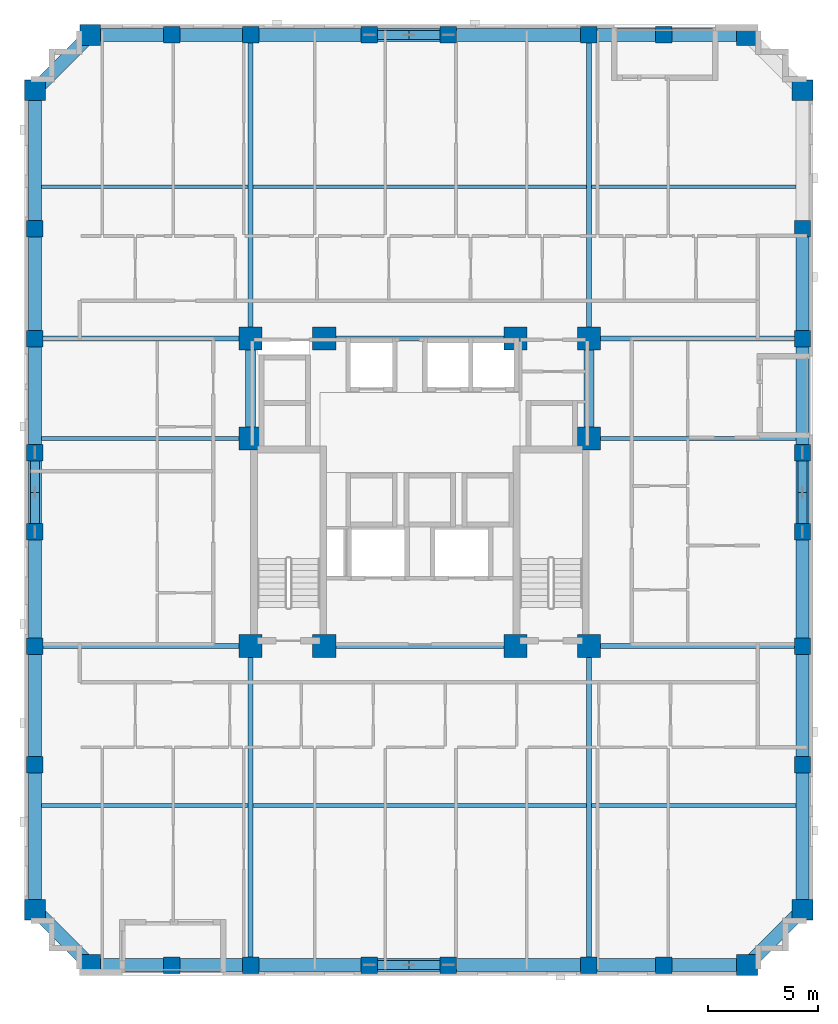
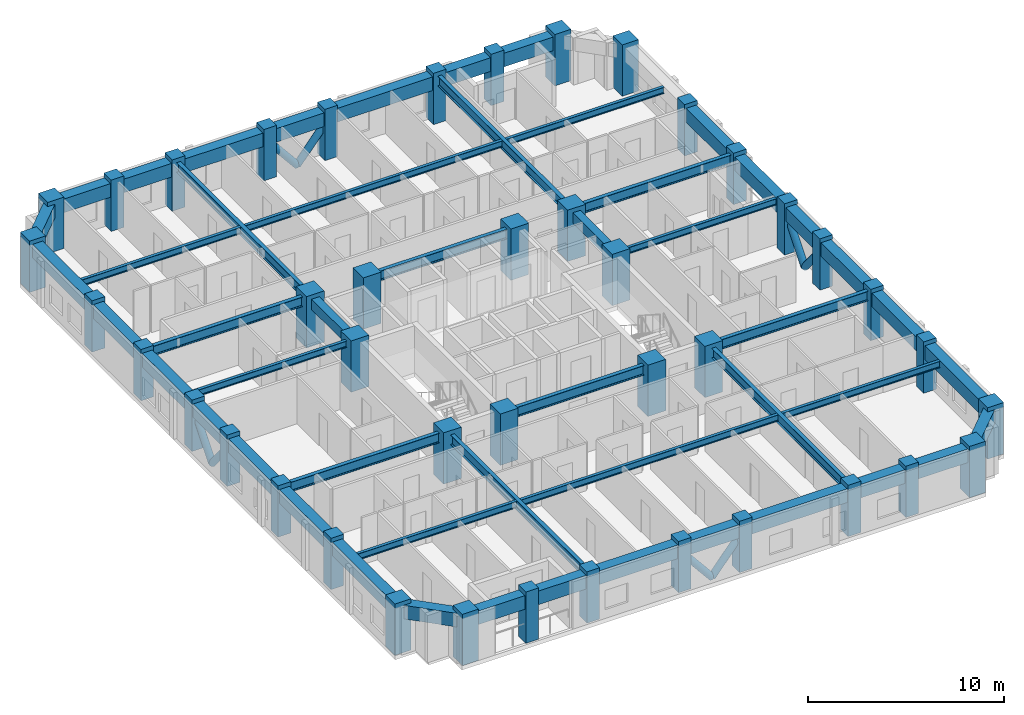
# One storey, part 1 of 13: 50 beams, 42 columns, 8 members.
"""IFC4 building model written with IfcOpenShell, lengths in metres."""

from ifc_helpers import new_model, si_unit, derived_unit, direction, frame, origin, origin_2d, place, context, subcontext, project, spatial, rectangle, hollow_circle, i_section, extrude, material, material_profile, profile_set, type_object, element, save


model = new_model("IFC4")

# Units and contexts
model_context = context("Model", 3, precision=1e-05, world=origin(), true_north=direction((0.0, 1.0)))
body_context = subcontext(model_context, "Body", "Model", "MODEL_VIEW")
ifc_project = project(units=[si_unit("LENGTHUNIT", "METRE"), si_unit("AREAUNIT", "SQUARE_METRE"), si_unit("VOLUMEUNIT", "CUBIC_METRE"), si_unit("PLANEANGLEUNIT", "RADIAN"), si_unit("MASSUNIT", "GRAM", prefix="KILO"), derived_unit("THERMALTRANSMITTANCEUNIT", [(si_unit("MASSUNIT", "GRAM", prefix="KILO"), 1), (si_unit("TIMEUNIT", "SECOND"), -3), (si_unit("THERMODYNAMICTEMPERATUREUNIT", "KELVIN"), -1)])], contexts=[model_context])

# Site, building, storey
site_placement = place(None, origin())
site = spatial("IfcSite", under=ifc_project, at=site_placement, CompositionType="ELEMENT")
building_placement = place(site_placement, origin())
building = spatial("IfcBuilding", under=site, at=building_placement, Name="Korrvale Station Residences", CompositionType="ELEMENT")
storey_placement = place(building_placement, frame((0.0, 0.0, 97.5)))
storey = spatial("IfcBuildingStorey", under=building, at=storey_placement, Name="L27", CompositionType="ELEMENT", Elevation=97.5)

# Columns
ifc_material_1 = material(Name="Concrete C60/75", Category="concrete")
ifc_material_profile_1 = material_profile(ifc_material_1, rectangle(XDim=1.050048828125, YDim=1.050048828125, at=origin_2d()), Name="RC1050x1050")
ifc_profile_set_1 = profile_set([ifc_material_profile_1], Name="Concrete C60/75")
column_type_1 = type_object("IfcColumnType", Name="COL-C-RC1050x1050-C6075", PredefinedType="COLUMN", material=ifc_profile_set_1)
for number, where, z_axis, x_axis, name in (
    (1, (17.800048828125, 15.0, 0.0), (0.0, 0.0, 1.0), (1.0, 0.0, 0.0), "L27 Core Column 01"),
    (2, (21.14990234375, 15.0, 0.0), (0.0, 0.0, 1.0), (1.0, 0.0, 0.0), "L27 Core Column 02"),
    (3, (29.85009765625, 15.0, 0.0), (0.0, 0.0, 1.0), (1.0, 0.0, 0.0), "L27 Core Column 03"),
    (4, (33.199951171875, 15.0, 0.0), (0.0, 0.0, 1.0), (1.0, 0.0, 0.0), "L27 Core Column 04"),
    (5, (17.800048828125, 29.0, 0.0), (0.0, 0.0, 1.0), (1.0, 0.0, 0.0), "L27 Core Column 05"),
    (6, (21.14990234375, 29.0, 0.0), (0.0, 0.0, 1.0), (1.0, 0.0, 0.0), "L27 Core Column 06"),
    (7, (29.85009765625, 29.0, 0.0), (0.0, 0.0, 1.0), (1.0, 0.0, 0.0), "L27 Core Column 07"),
    (8, (33.199951171875, 29.0, 0.0), (0.0, 0.0, 1.0), (1.0, 0.0, 0.0), "L27 Core Column 08"),
    (9, (17.800048828125, 24.449951171875, 0.0), (0.0, 0.0, 1.0), (1.0, 0.0, 0.0), "L27 Core Column 09"),
    (10, (33.199951171875, 24.449951171875, 0.0), (0.0, 0.0, 1.0), (1.0, 0.0, 0.0), "L27 Core Column 10"),
):
    element("IfcColumn", number, at=place(storey_placement, frame(where, z_axis=z_axis, x_axis=x_axis)), inside=storey, type_object=column_type_1, Name=name, PredefinedType="COLUMN", context=body_context, shape_type="SweptSolid", body=[
        extrude(rectangle(XDim=1.050048828125, YDim=1.050048828125, at=origin_2d()), origin(), (0.0, 0.0, 1.0), 3.199951171875),
    ])
ifc_material_profile_2 = material_profile(ifc_material_1, rectangle(XDim=0.75, YDim=0.75, at=origin_2d()), Name="RC750x750")
ifc_profile_set_2 = profile_set([ifc_material_profile_2], Name="Concrete C60/75")
column_type_2 = type_object("IfcColumnType", Name="COL-C-RC750x750-C6075", PredefinedType="COLUMN", material=ifc_profile_set_2)
for number, where, z_axis, x_axis, name in (
    (11, (14.199951171875, 0.47998046875, 0.0), (0.0, 0.0, 1.0), (1.0, 0.0, 0.0), "L27 Bundled-Tube South Column 02"),
    (12, (17.800048828125, 0.47998046875, 0.0), (0.0, 0.0, 1.0), (1.0, 0.0, 0.0), "L27 Bundled-Tube South Column 03"),
    (13, (23.199951171875, 0.47998046875, 0.0), (0.0, 0.0, 1.0), (1.0, 0.0, 0.0), "L27 Bundled-Tube South Column 04"),
    (14, (26.800048828125, 0.47998046875, 0.0), (0.0, 0.0, 1.0), (1.0, 0.0, 0.0), "L27 Bundled-Tube South Column 05"),
    (15, (33.199951171875, 0.47998046875, 0.0), (0.0, 0.0, 1.0), (1.0, 0.0, 0.0), "L27 Bundled-Tube South Column 06"),
    (16, (36.60009765625, 0.47998046875, 0.0), (0.0, 0.0, 1.0), (1.0, 0.0, 0.0), "L27 Bundled-Tube South Column 07"),
    (17, (14.199951171875, 42.820068359375, 0.0), (0.0, 0.0, 1.0), (1.0, 0.0, 0.0), "L27 Bundled-Tube North Column 10"),
    (18, (17.800048828125, 42.820068359375, 0.0), (0.0, 0.0, 1.0), (1.0, 0.0, 0.0), "L27 Bundled-Tube North Column 11"),
    (19, (23.199951171875, 42.820068359375, 0.0), (0.0, 0.0, 1.0), (1.0, 0.0, 0.0), "L27 Bundled-Tube North Column 12"),
    (20, (26.800048828125, 42.820068359375, 0.0), (0.0, 0.0, 1.0), (1.0, 0.0, 0.0), "L27 Bundled-Tube North Column 13"),
    (21, (33.199951171875, 42.820068359375, 0.0), (0.0, 0.0, 1.0), (1.0, 0.0, 0.0), "L27 Bundled-Tube North Column 14"),
    (22, (36.60009765625, 42.820068359375, 0.0), (0.0, 0.0, 1.0), (1.0, 0.0, 0.0), "L27 Bundled-Tube North Column 15"),
    (23, (7.97998046875, 9.60009765625, 0.0), (0.0, 0.0, 1.0), (1.0, 0.0, 0.0), "L27 Bundled-Tube West Column 18"),
    (24, (7.97998046875, 15.0, 0.0), (0.0, 0.0, 1.0), (1.0, 0.0, 0.0), "L27 Bundled-Tube West Column 19"),
    (25, (7.97998046875, 20.199951171875, 0.0), (0.0, 0.0, 1.0), (1.0, 0.0, 0.0), "L27 Bundled-Tube West Column 20"),
    (26, (7.97998046875, 23.800048828125, 0.0), (0.0, 0.0, 1.0), (1.0, 0.0, 0.0), "L27 Bundled-Tube West Column 21"),
    (27, (7.97998046875, 29.0, 0.0), (0.0, 0.0, 1.0), (1.0, 0.0, 0.0), "L27 Bundled-Tube West Column 22"),
    (28, (7.97998046875, 34.0, 0.0), (0.0, 0.0, 1.0), (1.0, 0.0, 0.0), "L27 Bundled-Tube West Column 23"),
    (29, (42.919921875, 9.60009765625, 0.0), (0.0, 0.0, 1.0), (1.0, 0.0, 0.0), "L27 Bundled-Tube East Column 26"),
    (30, (42.919921875, 15.0, 0.0), (0.0, 0.0, 1.0), (1.0, 0.0, 0.0), "L27 Bundled-Tube East Column 27"),
    (31, (42.919921875, 20.199951171875, 0.0), (0.0, 0.0, 1.0), (1.0, 0.0, 0.0), "L27 Bundled-Tube East Column 28"),
    (32, (42.919921875, 23.800048828125, 0.0), (0.0, 0.0, 1.0), (1.0, 0.0, 0.0), "L27 Bundled-Tube East Column 29"),
    (33, (42.919921875, 29.0, 0.0), (0.0, 0.0, 1.0), (1.0, 0.0, 0.0), "L27 Bundled-Tube East Column 30"),
    (34, (42.919921875, 34.0, 0.0), (0.0, 0.0, 1.0), (1.0, 0.0, 0.0), "L27 Bundled-Tube East Column 31"),
):
    element("IfcColumn", number, at=place(storey_placement, frame(where, z_axis=z_axis, x_axis=x_axis)), inside=storey, type_object=column_type_2, Name=name, PredefinedType="COLUMN", context=body_context, shape_type="SweptSolid", body=[
        extrude(rectangle(XDim=0.75, YDim=0.75, at=origin_2d()), origin(), (0.0, 0.0, 1.0), 3.199951171875),
    ])
ifc_material_profile_3 = material_profile(ifc_material_1, rectangle(XDim=0.949951171875, YDim=0.949951171875, at=origin_2d()), Name="RC950x950")
ifc_profile_set_3 = profile_set([ifc_material_profile_3], Name="Concrete C60/75")
column_type_3 = type_object("IfcColumnType", Name="COL-C-RC950x950-C6075", PredefinedType="COLUMN", material=ifc_profile_set_3)
for number, where, z_axis, x_axis, name in (
    (35, (10.5, 0.47998046875, 0.0), (0.0, 0.0, 1.0), (1.0, 0.0, 0.0), "L27 Bundled-Tube South Column 01"),
    (36, (40.39990234375, 0.47998046875, 0.0), (0.0, 0.0, 1.0), (1.0, 0.0, 0.0), "L27 Bundled-Tube South Column 08"),
    (37, (10.5, 42.820068359375, 0.0), (0.0, 0.0, 1.0), (1.0, 0.0, 0.0), "L27 Bundled-Tube North Column 09"),
    (38, (40.39990234375, 42.820068359375, 0.0), (0.0, 0.0, 1.0), (1.0, 0.0, 0.0), "L27 Bundled-Tube North Column 16"),
    (39, (7.97998046875, 3.0, 0.0), (0.0, 0.0, 1.0), (1.0, 0.0, 0.0), "L27 Bundled-Tube West Column 17"),
    (40, (7.97998046875, 40.300048828125, 0.0), (0.0, 0.0, 1.0), (1.0, 0.0, 0.0), "L27 Bundled-Tube West Column 24"),
    (41, (42.919921875, 3.0, 0.0), (0.0, 0.0, 1.0), (1.0, 0.0, 0.0), "L27 Bundled-Tube East Column 25"),
    (42, (42.919921875, 40.300048828125, 0.0), (0.0, 0.0, 1.0), (1.0, 0.0, 0.0), "L27 Bundled-Tube East Column 32"),
):
    element("IfcColumn", number, at=place(storey_placement, frame(where, z_axis=z_axis, x_axis=x_axis)), inside=storey, type_object=column_type_3, Name=name, PredefinedType="COLUMN", context=body_context, shape_type="SweptSolid", body=[
        extrude(rectangle(XDim=0.949951171875, YDim=0.949951171875, at=origin_2d()), origin(), (0.0, 0.0, 1.0), 3.199951171875),
    ])

# Beams
ifc_material_2 = material(Name="Steel S355", Category="steel")
ifc_material_profile_4 = material_profile(ifc_material_2, i_section(OverallWidth=0.22900390625, OverallDepth=0.612060546875, WebThickness=0.011962890625, FlangeThickness=0.01953125, FilletRadius=0.01904296875, at=origin_2d()), Name="W610x125")
ifc_profile_set_4 = profile_set([ifc_material_profile_4], Name="Steel S355")
beam_type_1 = type_object("IfcBeamType", Name="BM-BM-W610x125-S355", PredefinedType="BEAM", material=ifc_profile_set_4)
for number, where, z_axis, x_axis, name in (
    (43, (17.800048828125, 0.47998046875, 2.634033203125), (0.0, 1.0, 0.0), (-1.0, 0.0, 0.0), "L27 Bundled-Tube Web Girder 01"),
    (44, (33.199951171875, 0.47998046875, 2.634033203125), (0.0, 1.0, 0.0), (-1.0, 0.0, 0.0), "L27 Bundled-Tube Web Girder 02"),
):
    element("IfcBeam", number, at=place(storey_placement, frame(where, z_axis=z_axis, x_axis=x_axis)), inside=storey, type_object=beam_type_1, Name=name, PredefinedType="BEAM", context=body_context, shape_type="SweptSolid", body=[
        extrude(i_section(OverallWidth=0.22900390625, OverallDepth=0.612060546875, WebThickness=0.011962890625, FlangeThickness=0.01953125, FilletRadius=0.01904296875, at=origin_2d()), origin(), (0.0, 0.0, 1.0), 14.52001953125),
    ])
for number, where, z_axis, x_axis, name in (
    (45, (17.800048828125, 29.0, 2.634033203125), (0.0, 1.0, 0.0), (-1.0, 0.0, 0.0), "L27 Bundled-Tube Web Girder 03"),
    (46, (33.199951171875, 29.0, 2.634033203125), (0.0, 1.0, 0.0), (-1.0, 0.0, 0.0), "L27 Bundled-Tube Web Girder 04"),
):
    element("IfcBeam", number, at=place(storey_placement, frame(where, z_axis=z_axis, x_axis=x_axis)), inside=storey, type_object=beam_type_1, Name=name, PredefinedType="BEAM", context=body_context, shape_type="SweptSolid", body=[
        extrude(i_section(OverallWidth=0.22900390625, OverallDepth=0.612060546875, WebThickness=0.011962890625, FlangeThickness=0.01953125, FilletRadius=0.01904296875, at=origin_2d()), origin(), (0.0, 0.0, 1.0), 13.820068359375),
    ])
beam_1_placement = place(storey_placement, frame((7.97998046875, 15.0, 2.634033203125), z_axis=(1.0, 0.0, 0.0), x_axis=(0.0, 1.0, 0.0)))
element("IfcBeam", 47, at=beam_1_placement, inside=storey, type_object=beam_type_1, Name="L27 Bundled-Tube Web Girder 05", PredefinedType="BEAM", context=body_context, shape_type="SweptSolid", body=[
    extrude(i_section(OverallWidth=0.22900390625, OverallDepth=0.612060546875, WebThickness=0.011962890625, FlangeThickness=0.01953125, FilletRadius=0.01904296875, at=origin_2d()), origin(), (0.0, 0.0, 1.0), 9.820068359375),
])
beam_2_placement = place(storey_placement, frame((33.199951171875, 15.0, 2.634033203125), z_axis=(1.0, 0.0, 0.0), x_axis=(0.0, 1.0, 0.0)))
element("IfcBeam", 48, at=beam_2_placement, inside=storey, type_object=beam_type_1, Name="L27 Bundled-Tube Web Girder 06", PredefinedType="BEAM", context=body_context, shape_type="SweptSolid", body=[
    extrude(i_section(OverallWidth=0.22900390625, OverallDepth=0.612060546875, WebThickness=0.011962890625, FlangeThickness=0.01953125, FilletRadius=0.01904296875, at=origin_2d()), origin(), (0.0, 0.0, 1.0), 9.719970703125),
])
beam_3_placement = place(storey_placement, frame((7.97998046875, 29.0, 2.634033203125), z_axis=(1.0, 0.0, 0.0), x_axis=(0.0, 1.0, 0.0)))
element("IfcBeam", 49, at=beam_3_placement, inside=storey, type_object=beam_type_1, Name="L27 Bundled-Tube Web Girder 07", PredefinedType="BEAM", context=body_context, shape_type="SweptSolid", body=[
    extrude(i_section(OverallWidth=0.22900390625, OverallDepth=0.612060546875, WebThickness=0.011962890625, FlangeThickness=0.01953125, FilletRadius=0.01904296875, at=origin_2d()), origin(), (0.0, 0.0, 1.0), 9.820068359375),
])
beam_4_placement = place(storey_placement, frame((33.199951171875, 29.0, 2.634033203125), z_axis=(1.0, 0.0, 0.0), x_axis=(0.0, 1.0, 0.0)))
element("IfcBeam", 50, at=beam_4_placement, inside=storey, type_object=beam_type_1, Name="L27 Bundled-Tube Web Girder 08", PredefinedType="BEAM", context=body_context, shape_type="SweptSolid", body=[
    extrude(i_section(OverallWidth=0.22900390625, OverallDepth=0.612060546875, WebThickness=0.011962890625, FlangeThickness=0.01953125, FilletRadius=0.01904296875, at=origin_2d()), origin(), (0.0, 0.0, 1.0), 9.719970703125),
])
for number, where, z_axis, x_axis, name in (
    (51, (21.14990234375, 15.0, 2.634033203125), (1.0, 0.0, 0.0), (0.0, 1.0, 0.0), "L27 Bundled-Tube Web Girder 09"),
    (52, (21.14990234375, 29.0, 2.634033203125), (1.0, 0.0, 0.0), (0.0, 1.0, 0.0), "L27 Bundled-Tube Web Girder 10"),
):
    element("IfcBeam", number, at=place(storey_placement, frame(where, z_axis=z_axis, x_axis=x_axis)), inside=storey, type_object=beam_type_1, Name=name, PredefinedType="BEAM", context=body_context, shape_type="SweptSolid", body=[
        extrude(i_section(OverallWidth=0.22900390625, OverallDepth=0.612060546875, WebThickness=0.011962890625, FlangeThickness=0.01953125, FilletRadius=0.01904296875, at=origin_2d()), origin(), (0.0, 0.0, 1.0), 8.7001953125),
    ])
ifc_material_profile_5 = material_profile(ifc_material_2, i_section(OverallWidth=0.177978515625, OverallDepth=0.406982421875, WebThickness=0.0078125, FlangeThickness=0.0126953125, FilletRadius=0.01611328125, at=origin_2d()), Name="W410x60")
ifc_profile_set_5 = profile_set([ifc_material_profile_5], Name="Steel S355")
beam_type_2 = type_object("IfcBeamType", Name="BM-JST-W410x60-S355", PredefinedType="JOIST", material=ifc_profile_set_5)
beam_5_placement = place(storey_placement, frame((8.280029296875, 7.739990234375, 2.736572265625), z_axis=(1.0, 0.0, 0.0), x_axis=(0.0, 1.0, 0.0)))
element("IfcBeam", 53, at=beam_5_placement, inside=storey, type_object=beam_type_2, Name="L27 Floor Framing Joist 01", PredefinedType="JOIST", context=body_context, shape_type="SweptSolid", body=[
    extrude(i_section(OverallWidth=0.177978515625, OverallDepth=0.406982421875, WebThickness=0.0078125, FlangeThickness=0.0126953125, FilletRadius=0.01611328125, at=origin_2d()), origin(), (0.0, 0.0, 1.0), 9.405517578125),
])
beam_6_placement = place(storey_placement, frame((17.91455078125, 7.739990234375, 2.736572265625), z_axis=(1.0, 0.0, 0.0), x_axis=(0.0, 1.0, 0.0)))
element("IfcBeam", 54, at=beam_6_placement, inside=storey, type_object=beam_type_2, Name="L27 Floor Framing Joist 02", PredefinedType="JOIST", context=body_context, shape_type="SweptSolid", body=[
    extrude(i_section(OverallWidth=0.177978515625, OverallDepth=0.406982421875, WebThickness=0.0078125, FlangeThickness=0.0126953125, FilletRadius=0.01611328125, at=origin_2d()), origin(), (0.0, 0.0, 1.0), 15.1708984375),
])
beam_7_placement = place(storey_placement, frame((33.314453125, 7.739990234375, 2.736572265625), z_axis=(1.0, 0.0, 0.0), x_axis=(0.0, 1.0, 0.0)))
element("IfcBeam", 55, at=beam_7_placement, inside=storey, type_object=beam_type_2, Name="L27 Floor Framing Joist 03", PredefinedType="JOIST", context=body_context, shape_type="SweptSolid", body=[
    extrude(i_section(OverallWidth=0.177978515625, OverallDepth=0.406982421875, WebThickness=0.0078125, FlangeThickness=0.0126953125, FilletRadius=0.01611328125, at=origin_2d()), origin(), (0.0, 0.0, 1.0), 9.3056640625),
])
beam_8_placement = place(storey_placement, frame((8.280029296875, 35.909912109375, 2.736572265625), z_axis=(1.0, 0.0, 0.0), x_axis=(0.0, 1.0, 0.0)))
element("IfcBeam", 56, at=beam_8_placement, inside=storey, type_object=beam_type_2, Name="L27 Floor Framing Joist 04", PredefinedType="JOIST", context=body_context, shape_type="SweptSolid", body=[
    extrude(i_section(OverallWidth=0.177978515625, OverallDepth=0.406982421875, WebThickness=0.0078125, FlangeThickness=0.0126953125, FilletRadius=0.01611328125, at=origin_2d()), origin(), (0.0, 0.0, 1.0), 9.405517578125),
])
beam_9_placement = place(storey_placement, frame((17.91455078125, 35.909912109375, 2.736572265625), z_axis=(1.0, 0.0, 0.0), x_axis=(0.0, 1.0, 0.0)))
element("IfcBeam", 57, at=beam_9_placement, inside=storey, type_object=beam_type_2, Name="L27 Floor Framing Joist 05", PredefinedType="JOIST", context=body_context, shape_type="SweptSolid", body=[
    extrude(i_section(OverallWidth=0.177978515625, OverallDepth=0.406982421875, WebThickness=0.0078125, FlangeThickness=0.0126953125, FilletRadius=0.01611328125, at=origin_2d()), origin(), (0.0, 0.0, 1.0), 15.1708984375),
])
beam_10_placement = place(storey_placement, frame((33.314453125, 35.909912109375, 2.736572265625), z_axis=(1.0, 0.0, 0.0), x_axis=(0.0, 1.0, 0.0)))
element("IfcBeam", 58, at=beam_10_placement, inside=storey, type_object=beam_type_2, Name="L27 Floor Framing Joist 06", PredefinedType="JOIST", context=body_context, shape_type="SweptSolid", body=[
    extrude(i_section(OverallWidth=0.177978515625, OverallDepth=0.406982421875, WebThickness=0.0078125, FlangeThickness=0.0126953125, FilletRadius=0.01611328125, at=origin_2d()), origin(), (0.0, 0.0, 1.0), 9.3056640625),
])
beam_11_placement = place(storey_placement, frame((33.425048828125, 24.449951171875, 2.736572265625), z_axis=(1.0, 0.0, 0.0), x_axis=(0.0, 1.0, 0.0)))
element("IfcBeam", 59, at=beam_11_placement, inside=storey, type_object=beam_type_2, Name="L27 Floor Framing Joist 07", PredefinedType="JOIST", context=body_context, shape_type="SweptSolid", body=[
    extrude(i_section(OverallWidth=0.177978515625, OverallDepth=0.406982421875, WebThickness=0.0078125, FlangeThickness=0.0126953125, FilletRadius=0.01611328125, at=origin_2d()), origin(), (0.0, 0.0, 1.0), 9.195068359375),
])
beam_12_placement = place(storey_placement, frame((8.280029296875, 24.449951171875, 2.736572265625), z_axis=(1.0, 0.0, 0.0), x_axis=(0.0, 1.0, 0.0)))
element("IfcBeam", 60, at=beam_12_placement, inside=storey, type_object=beam_type_2, Name="L27 Floor Framing Joist 08", PredefinedType="JOIST", context=body_context, shape_type="SweptSolid", body=[
    extrude(i_section(OverallWidth=0.177978515625, OverallDepth=0.406982421875, WebThickness=0.0078125, FlangeThickness=0.0126953125, FilletRadius=0.01611328125, at=origin_2d()), origin(), (0.0, 0.0, 1.0), 9.294921875),
])
ifc_material_profile_6 = material_profile(ifc_material_1, rectangle(XDim=0.449951171875, YDim=0.64990234375, at=origin_2d()), Name="RCB450x650")
ifc_profile_set_6 = profile_set([ifc_material_profile_6], Name="Concrete C60/75")
beam_type_3 = type_object("IfcBeamType", Name="BM-LNT-RCB450x650-C6075", PredefinedType="LINTEL", material=ifc_profile_set_6)
for number, where, z_axis, x_axis, name in (
    (61, (17.800048828125, 24.449951171875, 2.614990234375), (0.0, 1.0, 0.0), (-1.0, 0.0, 0.0), "L27 Core Coupling Lintel 1"),
    (62, (33.199951171875, 24.449951171875, 2.614990234375), (0.0, 1.0, 0.0), (-1.0, 0.0, 0.0), "L27 Core Coupling Lintel 2"),
):
    element("IfcBeam", number, at=place(storey_placement, frame(where, z_axis=z_axis, x_axis=x_axis)), inside=storey, type_object=beam_type_3, Name=name, PredefinedType="LINTEL", context=body_context, shape_type="SweptSolid", body=[
        extrude(rectangle(XDim=0.449951171875, YDim=0.64990234375, at=origin_2d()), origin(), (0.0, 0.0, 1.0), 4.550048828125),
    ])
ifc_material_profile_7 = material_profile(ifc_material_1, rectangle(XDim=0.60009765625, YDim=0.85009765625, at=origin_2d()), Name="RCB600x850")
ifc_profile_set_7 = profile_set([ifc_material_profile_7], Name="Concrete C60/75")
beam_type_4 = type_object("IfcBeamType", Name="BM-SPB-RCB600x850-C6075", PredefinedType="SPANDREL", material=ifc_profile_set_7)
beam_13_placement = place(storey_placement, frame((10.5, 0.47998046875, 2.514892578125), z_axis=(1.0, 0.0, 0.0), x_axis=(0.0, 1.0, 0.0)))
element("IfcBeam", 63, at=beam_13_placement, inside=storey, type_object=beam_type_4, Name="L27 South Tube Spandrel 01", PredefinedType="SPANDREL", context=body_context, shape_type="SweptSolid", body=[
    extrude(rectangle(XDim=0.60009765625, YDim=0.85009765625, at=origin_2d()), origin(), (0.0, 0.0, 1.0), 3.699951171875),
])
beam_14_placement = place(storey_placement, frame((14.199951171875, 0.47998046875, 2.514892578125), z_axis=(1.0, 0.0, 0.0), x_axis=(0.0, 1.0, 0.0)))
element("IfcBeam", 64, at=beam_14_placement, inside=storey, type_object=beam_type_4, Name="L27 South Tube Spandrel 02", PredefinedType="SPANDREL", context=body_context, shape_type="SweptSolid", body=[
    extrude(rectangle(XDim=0.60009765625, YDim=0.85009765625, at=origin_2d()), origin(), (0.0, 0.0, 1.0), 3.60009765625),
])
beam_15_placement = place(storey_placement, frame((17.800048828125, 0.47998046875, 2.514892578125), z_axis=(1.0, 0.0, 0.0), x_axis=(0.0, 1.0, 0.0)))
element("IfcBeam", 65, at=beam_15_placement, inside=storey, type_object=beam_type_4, Name="L27 South Tube Spandrel 03", PredefinedType="SPANDREL", context=body_context, shape_type="SweptSolid", body=[
    extrude(rectangle(XDim=0.60009765625, YDim=0.85009765625, at=origin_2d()), origin(), (0.0, 0.0, 1.0), 5.39990234375),
])
beam_16_placement = place(storey_placement, frame((23.199951171875, 0.47998046875, 2.514892578125), z_axis=(1.0, 0.0, 0.0), x_axis=(0.0, 1.0, 0.0)))
element("IfcBeam", 66, at=beam_16_placement, inside=storey, type_object=beam_type_4, Name="L27 South Tube Spandrel 04", PredefinedType="SPANDREL", context=body_context, shape_type="SweptSolid", body=[
    extrude(rectangle(XDim=0.60009765625, YDim=0.85009765625, at=origin_2d()), origin(), (0.0, 0.0, 1.0), 3.60009765625),
])
beam_17_placement = place(storey_placement, frame((26.800048828125, 0.47998046875, 2.514892578125), z_axis=(1.0, 0.0, 0.0), x_axis=(0.0, 1.0, 0.0)))
element("IfcBeam", 67, at=beam_17_placement, inside=storey, type_object=beam_type_4, Name="L27 South Tube Spandrel 05", PredefinedType="SPANDREL", context=body_context, shape_type="SweptSolid", body=[
    extrude(rectangle(XDim=0.60009765625, YDim=0.85009765625, at=origin_2d()), origin(), (0.0, 0.0, 1.0), 6.39990234375),
])
beam_18_placement = place(storey_placement, frame((33.199951171875, 0.47998046875, 2.514892578125), z_axis=(1.0, 0.0, 0.0), x_axis=(0.0, 1.0, 0.0)))
element("IfcBeam", 68, at=beam_18_placement, inside=storey, type_object=beam_type_4, Name="L27 South Tube Spandrel 06", PredefinedType="SPANDREL", context=body_context, shape_type="SweptSolid", body=[
    extrude(rectangle(XDim=0.60009765625, YDim=0.85009765625, at=origin_2d()), origin(), (0.0, 0.0, 1.0), 3.400146484375),
])
beam_19_placement = place(storey_placement, frame((36.60009765625, 0.47998046875, 2.514892578125), z_axis=(1.0, 0.0, 0.0), x_axis=(0.0, 1.0, 0.0)))
element("IfcBeam", 69, at=beam_19_placement, inside=storey, type_object=beam_type_4, Name="L27 South Tube Spandrel 07", PredefinedType="SPANDREL", context=body_context, shape_type="SweptSolid", body=[
    extrude(rectangle(XDim=0.60009765625, YDim=0.85009765625, at=origin_2d()), origin(), (0.0, 0.0, 1.0), 3.7998046875),
])
beam_20_placement = place(storey_placement, frame((10.5, 42.820068359375, 2.514892578125), z_axis=(1.0, 0.0, 0.0), x_axis=(0.0, 1.0, 0.0)))
element("IfcBeam", 70, at=beam_20_placement, inside=storey, type_object=beam_type_4, Name="L27 North Tube Spandrel 08", PredefinedType="SPANDREL", context=body_context, shape_type="SweptSolid", body=[
    extrude(rectangle(XDim=0.60009765625, YDim=0.85009765625, at=origin_2d()), origin(), (0.0, 0.0, 1.0), 3.699951171875),
])
beam_21_placement = place(storey_placement, frame((14.199951171875, 42.820068359375, 2.514892578125), z_axis=(1.0, 0.0, 0.0), x_axis=(0.0, 1.0, 0.0)))
element("IfcBeam", 71, at=beam_21_placement, inside=storey, type_object=beam_type_4, Name="L27 North Tube Spandrel 09", PredefinedType="SPANDREL", context=body_context, shape_type="SweptSolid", body=[
    extrude(rectangle(XDim=0.60009765625, YDim=0.85009765625, at=origin_2d()), origin(), (0.0, 0.0, 1.0), 3.60009765625),
])
beam_22_placement = place(storey_placement, frame((17.800048828125, 42.820068359375, 2.514892578125), z_axis=(1.0, 0.0, 0.0), x_axis=(0.0, 1.0, 0.0)))
element("IfcBeam", 72, at=beam_22_placement, inside=storey, type_object=beam_type_4, Name="L27 North Tube Spandrel 10", PredefinedType="SPANDREL", context=body_context, shape_type="SweptSolid", body=[
    extrude(rectangle(XDim=0.60009765625, YDim=0.85009765625, at=origin_2d()), origin(), (0.0, 0.0, 1.0), 5.39990234375),
])
beam_23_placement = place(storey_placement, frame((23.199951171875, 42.820068359375, 2.514892578125), z_axis=(1.0, 0.0, 0.0), x_axis=(0.0, 1.0, 0.0)))
element("IfcBeam", 73, at=beam_23_placement, inside=storey, type_object=beam_type_4, Name="L27 North Tube Spandrel 11", PredefinedType="SPANDREL", context=body_context, shape_type="SweptSolid", body=[
    extrude(rectangle(XDim=0.60009765625, YDim=0.85009765625, at=origin_2d()), origin(), (0.0, 0.0, 1.0), 3.60009765625),
])
beam_24_placement = place(storey_placement, frame((26.800048828125, 42.820068359375, 2.514892578125), z_axis=(1.0, 0.0, 0.0), x_axis=(0.0, 1.0, 0.0)))
element("IfcBeam", 74, at=beam_24_placement, inside=storey, type_object=beam_type_4, Name="L27 North Tube Spandrel 12", PredefinedType="SPANDREL", context=body_context, shape_type="SweptSolid", body=[
    extrude(rectangle(XDim=0.60009765625, YDim=0.85009765625, at=origin_2d()), origin(), (0.0, 0.0, 1.0), 6.39990234375),
])
beam_25_placement = place(storey_placement, frame((33.199951171875, 42.820068359375, 2.514892578125), z_axis=(1.0, 0.0, 0.0), x_axis=(0.0, 1.0, 0.0)))
element("IfcBeam", 75, at=beam_25_placement, inside=storey, type_object=beam_type_4, Name="L27 North Tube Spandrel 13", PredefinedType="SPANDREL", context=body_context, shape_type="SweptSolid", body=[
    extrude(rectangle(XDim=0.60009765625, YDim=0.85009765625, at=origin_2d()), origin(), (0.0, 0.0, 1.0), 3.400146484375),
])
beam_26_placement = place(storey_placement, frame((36.60009765625, 42.820068359375, 2.514892578125), z_axis=(1.0, 0.0, 0.0), x_axis=(0.0, 1.0, 0.0)))
element("IfcBeam", 76, at=beam_26_placement, inside=storey, type_object=beam_type_4, Name="L27 North Tube Spandrel 14", PredefinedType="SPANDREL", context=body_context, shape_type="SweptSolid", body=[
    extrude(rectangle(XDim=0.60009765625, YDim=0.85009765625, at=origin_2d()), origin(), (0.0, 0.0, 1.0), 3.7998046875),
])
beam_27_placement = place(storey_placement, frame((7.97998046875, 3.0, 2.514892578125), z_axis=(0.0, 1.0, 0.0), x_axis=(-1.0, 0.0, 0.0)))
element("IfcBeam", 77, at=beam_27_placement, inside=storey, type_object=beam_type_4, Name="L27 West Tube Spandrel 15", PredefinedType="SPANDREL", context=body_context, shape_type="SweptSolid", body=[
    extrude(rectangle(XDim=0.60009765625, YDim=0.85009765625, at=origin_2d()), origin(), (0.0, 0.0, 1.0), 6.60009765625),
])
beam_28_placement = place(storey_placement, frame((7.97998046875, 9.60009765625, 2.514892578125), z_axis=(0.0, 1.0, 0.0), x_axis=(-1.0, 0.0, 0.0)))
element("IfcBeam", 78, at=beam_28_placement, inside=storey, type_object=beam_type_4, Name="L27 West Tube Spandrel 16", PredefinedType="SPANDREL", context=body_context, shape_type="SweptSolid", body=[
    extrude(rectangle(XDim=0.60009765625, YDim=0.85009765625, at=origin_2d()), origin(), (0.0, 0.0, 1.0), 5.39990234375),
])
beam_29_placement = place(storey_placement, frame((7.97998046875, 15.0, 2.514892578125), z_axis=(0.0, 1.0, 0.0), x_axis=(-1.0, 0.0, 0.0)))
element("IfcBeam", 79, at=beam_29_placement, inside=storey, type_object=beam_type_4, Name="L27 West Tube Spandrel 17", PredefinedType="SPANDREL", context=body_context, shape_type="SweptSolid", body=[
    extrude(rectangle(XDim=0.60009765625, YDim=0.85009765625, at=origin_2d()), origin(), (0.0, 0.0, 1.0), 5.199951171875),
])
beam_30_placement = place(storey_placement, frame((7.97998046875, 20.199951171875, 2.514892578125), z_axis=(0.0, 1.0, 0.0), x_axis=(-1.0, 0.0, 0.0)))
element("IfcBeam", 80, at=beam_30_placement, inside=storey, type_object=beam_type_4, Name="L27 West Tube Spandrel 18", PredefinedType="SPANDREL", context=body_context, shape_type="SweptSolid", body=[
    extrude(rectangle(XDim=0.60009765625, YDim=0.85009765625, at=origin_2d()), origin(), (0.0, 0.0, 1.0), 3.60009765625),
])
beam_31_placement = place(storey_placement, frame((7.97998046875, 23.800048828125, 2.514892578125), z_axis=(0.0, 1.0, 0.0), x_axis=(-1.0, 0.0, 0.0)))
element("IfcBeam", 81, at=beam_31_placement, inside=storey, type_object=beam_type_4, Name="L27 West Tube Spandrel 19", PredefinedType="SPANDREL", context=body_context, shape_type="SweptSolid", body=[
    extrude(rectangle(XDim=0.60009765625, YDim=0.85009765625, at=origin_2d()), origin(), (0.0, 0.0, 1.0), 5.199951171875),
])
beam_32_placement = place(storey_placement, frame((7.97998046875, 29.0, 2.514892578125), z_axis=(0.0, 1.0, 0.0), x_axis=(-1.0, 0.0, 0.0)))
element("IfcBeam", 82, at=beam_32_placement, inside=storey, type_object=beam_type_4, Name="L27 West Tube Spandrel 20", PredefinedType="SPANDREL", context=body_context, shape_type="SweptSolid", body=[
    extrude(rectangle(XDim=0.60009765625, YDim=0.85009765625, at=origin_2d()), origin(), (0.0, 0.0, 1.0), 5.0),
])
beam_33_placement = place(storey_placement, frame((7.97998046875, 34.0, 2.514892578125), z_axis=(0.0, 1.0, 0.0), x_axis=(-1.0, 0.0, 0.0)))
element("IfcBeam", 83, at=beam_33_placement, inside=storey, type_object=beam_type_4, Name="L27 West Tube Spandrel 21", PredefinedType="SPANDREL", context=body_context, shape_type="SweptSolid", body=[
    extrude(rectangle(XDim=0.60009765625, YDim=0.85009765625, at=origin_2d()), origin(), (0.0, 0.0, 1.0), 6.300048828125),
])
beam_34_placement = place(storey_placement, frame((42.919921875, 3.0, 2.514892578125), z_axis=(0.0, 1.0, 0.0), x_axis=(-1.0, 0.0, 0.0)))
element("IfcBeam", 84, at=beam_34_placement, inside=storey, type_object=beam_type_4, Name="L27 East Tube Spandrel 22", PredefinedType="SPANDREL", context=body_context, shape_type="SweptSolid", body=[
    extrude(rectangle(XDim=0.60009765625, YDim=0.85009765625, at=origin_2d()), origin(), (0.0, 0.0, 1.0), 6.60009765625),
])
beam_35_placement = place(storey_placement, frame((42.919921875, 9.60009765625, 2.514892578125), z_axis=(0.0, 1.0, 0.0), x_axis=(-1.0, 0.0, 0.0)))
element("IfcBeam", 85, at=beam_35_placement, inside=storey, type_object=beam_type_4, Name="L27 East Tube Spandrel 23", PredefinedType="SPANDREL", context=body_context, shape_type="SweptSolid", body=[
    extrude(rectangle(XDim=0.60009765625, YDim=0.85009765625, at=origin_2d()), origin(), (0.0, 0.0, 1.0), 5.39990234375),
])
beam_36_placement = place(storey_placement, frame((42.919921875, 15.0, 2.514892578125), z_axis=(0.0, 1.0, 0.0), x_axis=(-1.0, 0.0, 0.0)))
element("IfcBeam", 86, at=beam_36_placement, inside=storey, type_object=beam_type_4, Name="L27 East Tube Spandrel 24", PredefinedType="SPANDREL", context=body_context, shape_type="SweptSolid", body=[
    extrude(rectangle(XDim=0.60009765625, YDim=0.85009765625, at=origin_2d()), origin(), (0.0, 0.0, 1.0), 5.199951171875),
])
beam_37_placement = place(storey_placement, frame((42.919921875, 20.199951171875, 2.514892578125), z_axis=(0.0, 1.0, 0.0), x_axis=(-1.0, 0.0, 0.0)))
element("IfcBeam", 87, at=beam_37_placement, inside=storey, type_object=beam_type_4, Name="L27 East Tube Spandrel 25", PredefinedType="SPANDREL", context=body_context, shape_type="SweptSolid", body=[
    extrude(rectangle(XDim=0.60009765625, YDim=0.85009765625, at=origin_2d()), origin(), (0.0, 0.0, 1.0), 3.60009765625),
])
beam_38_placement = place(storey_placement, frame((42.919921875, 23.800048828125, 2.514892578125), z_axis=(0.0, 1.0, 0.0), x_axis=(-1.0, 0.0, 0.0)))
element("IfcBeam", 88, at=beam_38_placement, inside=storey, type_object=beam_type_4, Name="L27 East Tube Spandrel 26", PredefinedType="SPANDREL", context=body_context, shape_type="SweptSolid", body=[
    extrude(rectangle(XDim=0.60009765625, YDim=0.85009765625, at=origin_2d()), origin(), (0.0, 0.0, 1.0), 5.199951171875),
])
beam_39_placement = place(storey_placement, frame((42.919921875, 29.0, 2.514892578125), z_axis=(0.0, 1.0, 0.0), x_axis=(-1.0, 0.0, 0.0)))
element("IfcBeam", 89, at=beam_39_placement, inside=storey, type_object=beam_type_4, Name="L27 East Tube Spandrel 27", PredefinedType="SPANDREL", context=body_context, shape_type="SweptSolid", body=[
    extrude(rectangle(XDim=0.60009765625, YDim=0.85009765625, at=origin_2d()), origin(), (0.0, 0.0, 1.0), 5.0),
])
for number, where, z_axis, x_axis, name in (
    (90, (10.5, 0.47998046875, 2.514892578125), (-0.707106781187, 0.707106781187, 0.0), (-0.707106781187, -0.707106781187, 0.0), "L27 Serrated Corner Spandrel 29"),
    (91, (40.39990234375, 0.47998046875, 2.514892578125), (0.707106781187, 0.707106781187, 0.0), (-0.707106781187, 0.707106781187, 0.0), "L27 Serrated Corner Spandrel 30"),
    (92, (10.5, 42.820068359375, 2.514892578125), (-0.707106781187, -0.707106781187, 0.0), (0.707106781187, -0.707106781187, 0.0), "L27 Serrated Corner Spandrel 32"),
):
    element("IfcBeam", number, at=place(storey_placement, frame(where, z_axis=z_axis, x_axis=x_axis)), inside=storey, type_object=beam_type_4, Name=name, PredefinedType="SPANDREL", context=body_context, shape_type="SweptSolid", body=[
        extrude(rectangle(XDim=0.60009765625, YDim=0.85009765625, at=origin_2d()), origin(), (0.0, 0.0, 1.0), 3.56396484375),
    ])

# Members
ifc_material_profile_8 = material_profile(ifc_material_2, hollow_circle(Radius=0.203125, WallThickness=0.015869140625, at=origin_2d()), Name="HSS406x16")
ifc_profile_set_8 = profile_set([ifc_material_profile_8], Name="Steel S355")
member_type = type_object("IfcMemberType", Name="MBR-BR-HSS406x16", PredefinedType="BRACE", material=ifc_profile_set_8)
for number, where, z_axis, x_axis, name in (
    (93, (25.0, 0.47998046875, 0.02001953125), (-0.634985494602, 0.0, 0.772524058942), (0.0, -1.0, 0.0), "L27 S Perimeter Tube Wind Brace 1"),
    (94, (25.0, 0.47998046875, 0.02001953125), (0.634985494602, 0.0, 0.772524058942), (0.0, 1.0, 0.0), "L27 S Perimeter Tube Wind Brace 2"),
    (95, (25.0, 42.820068359375, 0.02001953125), (-0.634985494602, 0.0, 0.772524058942), (0.0, -1.0, 0.0), "L27 N Perimeter Tube Wind Brace 1"),
    (96, (25.0, 42.820068359375, 0.02001953125), (0.634985494602, 0.0, 0.772524058942), (0.0, 1.0, 0.0), "L27 N Perimeter Tube Wind Brace 2"),
    (97, (7.97998046875, 22.0, 0.02001953125), (0.0, -0.634985494602, 0.772524058942), (1.0, 0.0, 0.0), "L27 W Perimeter Tube Wind Brace 1"),
    (98, (7.97998046875, 22.0, 0.02001953125), (0.0, 0.634985494602, 0.772524058942), (-1.0, 0.0, 0.0), "L27 W Perimeter Tube Wind Brace 2"),
    (99, (42.919921875, 22.0, 0.02001953125), (0.0, -0.634985494602, 0.772524058942), (1.0, 0.0, 0.0), "L27 E Perimeter Tube Wind Brace 1"),
    (100, (42.919921875, 22.0, 0.02001953125), (0.0, 0.634985494602, 0.772524058942), (-1.0, 0.0, 0.0), "L27 E Perimeter Tube Wind Brace 2"),
):
    element("IfcMember", number, at=place(storey_placement, frame(where, z_axis=z_axis, x_axis=x_axis)), inside=storey, type_object=member_type, Name=name, PredefinedType="BRACE", context=body_context, shape_type="SweptSolid", body=[
        extrude(hollow_circle(Radius=0.203125, WallThickness=0.015869140625, at=origin_2d()), origin(), (0.0, 0.0, 1.0), 2.834716796875),
    ])

save(model, "model.ifc")
